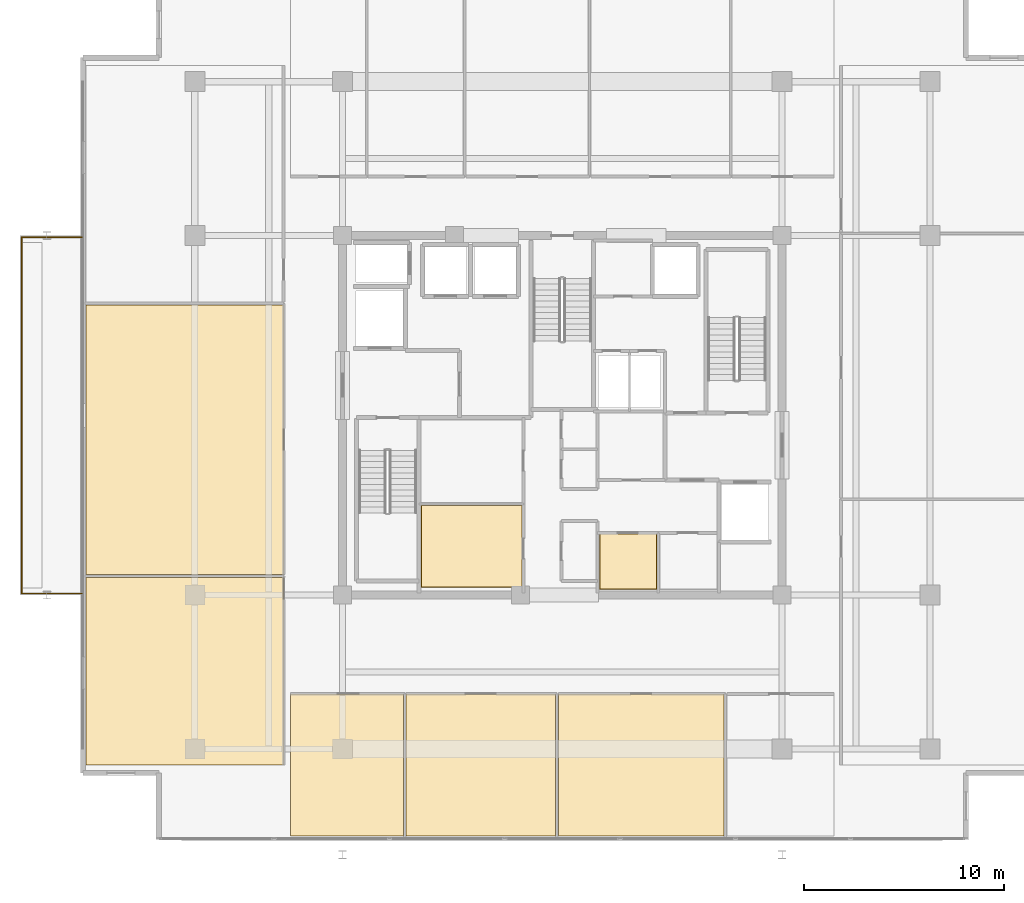
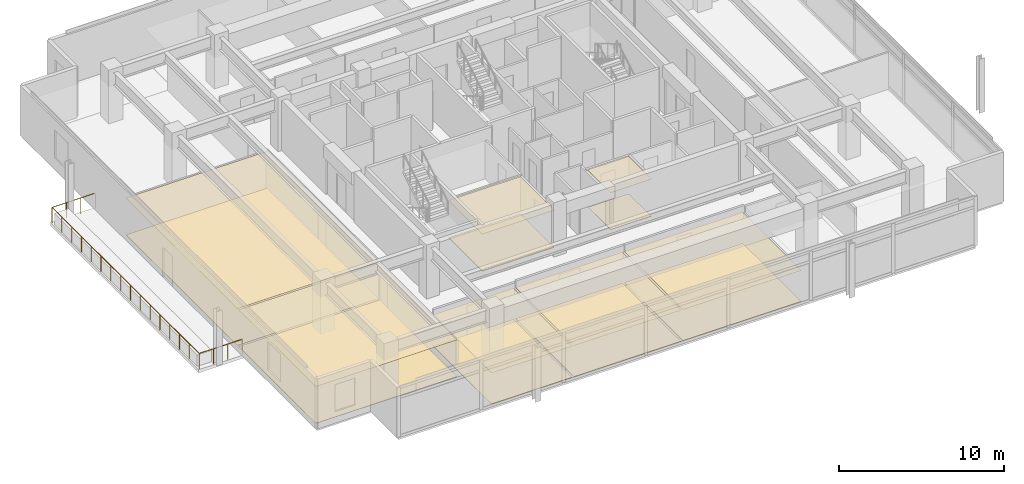
# One storey, part 15 of 18: 14 coverings, 1 railing.
"""IFC4 building model written with IfcOpenShell, lengths in metres."""

from ifc_helpers import new_model, si_unit, direction, frame, origin, origin_2d, place, context, subcontext, project, spatial, polyline, circle, outline, extrude, material, layer, layer_set, type_object, element, save


model = new_model("IFC4")

# Units and contexts
model_context = context("Model", 3, precision=1e-05, world=origin(), true_north=direction((0.0, 1.0)))
body_context = subcontext(model_context, "Body", "Model", "MODEL_VIEW")
ifc_project = project(units=[si_unit("LENGTHUNIT", "METRE"), si_unit("AREAUNIT", "SQUARE_METRE"), si_unit("VOLUMEUNIT", "CUBIC_METRE"), si_unit("PLANEANGLEUNIT", "RADIAN"), si_unit("MASSUNIT", "GRAM", prefix="KILO")], contexts=[model_context])

# Site, building, storey
site_placement = place(None, origin())
site = spatial("IfcSite", under=ifc_project, at=site_placement, CompositionType="ELEMENT")
building_placement = place(site_placement, origin())
building = spatial("IfcBuilding", under=site, at=building_placement, Name="Kovane Verandah Tower", CompositionType="ELEMENT")
storey_placement = place(building_placement, frame((0.0, 0.0, 338.800048828125)))
storey = spatial("IfcBuildingStorey", under=building, at=storey_placement, Name="L79", CompositionType="ELEMENT", Elevation=338.800048828125)

# Coverings
ifc_material_1 = material(Name="Perforated Acoustic Mineral-Fibre Ceiling Tile", Category="gypsum")
ifc_layer_1 = layer(ifc_material_1, 0.02490234375)
ifc_layer_set_1 = layer_set([ifc_layer_1], Name="Perforated Acoustic Mineral-Fibre Ceiling Tile")
covering_type_1 = type_object("IfcCoveringType", Name="CV-CEIL-25", PredefinedType="CEILING", material=ifc_layer_set_1)
covering_1_placement = place(storey_placement, frame((0.0, 0.0, 2.7548828125)))
element("IfcCovering", 1, at=covering_1_placement, inside=storey, type_object=covering_type_1, Name="L79 IT Server Room Acoustic Ceiling", PredefinedType="CEILING", context=body_context, shape_type="SweptSolid", body=[
    extrude(outline(polyline([(32.93505859375, 18.885009765625), (37.9951171875, 18.885009765625), (37.9951171875, 22.9951171875), (32.93505859375, 22.9951171875), (32.93505859375, 18.885009765625)])), origin(), (0.0, 0.0, 1.0), 0.025146484375),
])
covering_2_placement = place(storey_placement, frame((0.0, 0.0, 2.7548828125)))
element("IfcCovering", 2, at=covering_2_placement, inside=storey, type_object=covering_type_1, Name="L79 AV Control Room Acoustic Ceiling", PredefinedType="CEILING", context=body_context, shape_type="SweptSolid", body=[
    extrude(outline(polyline([(41.864990234375, 18.784912109375), (44.735107421875, 18.784912109375), (44.735107421875, 21.56494140625), (41.864990234375, 21.56494140625), (41.864990234375, 18.784912109375)])), origin(), (0.0, 0.0, 1.0), 0.025146484375),
])
covering_3_placement = place(storey_placement, frame((0.0, 0.0, 2.304931640625)))
element("IfcCovering", 3, at=covering_3_placement, inside=storey, type_object=covering_type_1, Name="L79 Executive Office S1 Acoustic Ceiling", PredefinedType="CEILING", context=body_context, shape_type="SweptSolid", body=[
    extrude(outline(polyline([(26.39990234375, 6.449951171875), (32.0419921875, 6.449951171875), (32.0419921875, 13.550048828125), (26.39990234375, 13.550048828125), (26.39990234375, 6.449951171875)])), origin(), (0.0, 0.0, 1.0), 0.02490234375),
])
covering_4_placement = place(storey_placement, frame((0.0, 0.0, 2.304931640625)))
element("IfcCovering", 4, at=covering_4_placement, inside=storey, type_object=covering_type_1, Name="L79 Client Boardroom S2 Acoustic Ceiling", PredefinedType="CEILING", context=body_context, shape_type="SweptSolid", body=[
    extrude(outline(polyline([(32.181884765625, 6.449951171875), (39.657958984375, 6.449951171875), (39.657958984375, 13.550048828125), (32.181884765625, 13.550048828125), (32.181884765625, 6.449951171875)])), origin(), (0.0, 0.0, 1.0), 0.02490234375),
])
covering_5_placement = place(storey_placement, frame((0.0, 0.0, 2.304931640625)))
element("IfcCovering", 5, at=covering_5_placement, inside=storey, type_object=covering_type_1, Name="L79 Meeting Room S3 Acoustic Ceiling", PredefinedType="CEILING", context=body_context, shape_type="SweptSolid", body=[
    extrude(outline(polyline([(39.798095703125, 6.449951171875), (48.090087890625, 6.449951171875), (48.090087890625, 13.550048828125), (39.798095703125, 13.550048828125), (39.798095703125, 6.449951171875)])), origin(), (0.0, 0.0, 1.0), 0.02490234375),
])
covering_6_placement = place(storey_placement, frame((0.0, 0.0, 2.728271484375)))
element("IfcCovering", 6, at=covering_6_placement, inside=storey, type_object=covering_type_1, Name="L79 Breakout Pantry W1 Acoustic Ceiling", PredefinedType="CEILING", context=body_context, shape_type="SweptSolid", body=[
    extrude(outline(polyline([(16.14990234375, 10.0), (26.050048828125, 10.0), (26.050048828125, 19.3798828125), (16.14990234375, 19.3798828125), (16.14990234375, 10.0)])), origin(), (0.0, 0.0, 1.0), 0.025146484375),
])
covering_7_placement = place(storey_placement, frame((0.0, 0.0, 2.728271484375)))
element("IfcCovering", 7, at=covering_7_placement, inside=storey, type_object=covering_type_1, Name="L79 Collaboration Hub W2 Acoustic Ceiling", PredefinedType="CEILING", context=body_context, shape_type="SweptSolid", body=[
    extrude(outline(polyline([(16.14990234375, 19.52001953125), (26.050048828125, 19.52001953125), (26.050048828125, 33.030029296875), (16.14990234375, 33.030029296875), (16.14990234375, 19.52001953125)])), origin(), (0.0, 0.0, 1.0), 0.025146484375),
])
ifc_material_2 = material(Name="Polished Terrazzo and Raised-Access Carpet Tile Finish", Category="concrete")
ifc_layer_2 = layer(ifc_material_2, 0.030029296875)
ifc_layer_set_2 = layer_set([ifc_layer_2], Name="Polished Terrazzo and Raised-Access Carpet Tile Finish")
covering_type_2 = type_object("IfcCoveringType", Name="CV-FLOR-30", PredefinedType="FLOORING", material=ifc_layer_set_2)
covering_8_placement = place(storey_placement, origin())
element("IfcCovering", 8, at=covering_8_placement, inside=storey, type_object=covering_type_2, Name="L79 IT Server Room Floor Finish", PredefinedType="FLOORING", context=body_context, shape_type="SweptSolid", body=[
    extrude(outline(polyline([(32.949951171875, 18.89990234375), (37.97998046875, 18.89990234375), (37.97998046875, 22.97998046875), (32.949951171875, 22.97998046875), (32.949951171875, 18.89990234375)])), origin(), (0.0, 0.0, 1.0), 0.030029296875),
])
covering_9_placement = place(storey_placement, origin())
element("IfcCovering", 9, at=covering_9_placement, inside=storey, type_object=covering_type_2, Name="L79 AV Control Room Floor Finish", PredefinedType="FLOORING", context=body_context, shape_type="SweptSolid", body=[
    extrude(outline(polyline([(41.8798828125, 18.800048828125), (44.719970703125, 18.800048828125), (44.719970703125, 21.550048828125), (41.8798828125, 21.550048828125), (41.8798828125, 18.800048828125)])), origin(), (0.0, 0.0, 1.0), 0.030029296875),
])
covering_10_placement = place(storey_placement, origin())
element("IfcCovering", 10, at=covering_10_placement, inside=storey, type_object=covering_type_2, Name="L79 Executive Office S1 Floor Finish", PredefinedType="FLOORING", context=body_context, shape_type="SweptSolid", body=[
    extrude(outline(polyline([(26.39990234375, 6.449951171875), (32.0419921875, 6.449951171875), (32.0419921875, 13.550048828125), (26.39990234375, 13.550048828125), (26.39990234375, 6.449951171875)])), origin(), (0.0, 0.0, 1.0), 0.030029296875),
])
covering_11_placement = place(storey_placement, origin())
element("IfcCovering", 11, at=covering_11_placement, inside=storey, type_object=covering_type_2, Name="L79 Client Boardroom S2 Floor Finish", PredefinedType="FLOORING", context=body_context, shape_type="SweptSolid", body=[
    extrude(outline(polyline([(32.181884765625, 6.449951171875), (39.657958984375, 6.449951171875), (39.657958984375, 13.550048828125), (32.181884765625, 13.550048828125), (32.181884765625, 6.449951171875)])), origin(), (0.0, 0.0, 1.0), 0.030029296875),
])
covering_12_placement = place(storey_placement, origin())
element("IfcCovering", 12, at=covering_12_placement, inside=storey, type_object=covering_type_2, Name="L79 Meeting Room S3 Floor Finish", PredefinedType="FLOORING", context=body_context, shape_type="SweptSolid", body=[
    extrude(outline(polyline([(39.798095703125, 6.449951171875), (48.090087890625, 6.449951171875), (48.090087890625, 13.550048828125), (39.798095703125, 13.550048828125), (39.798095703125, 6.449951171875)])), origin(), (0.0, 0.0, 1.0), 0.030029296875),
])
covering_13_placement = place(storey_placement, origin())
element("IfcCovering", 13, at=covering_13_placement, inside=storey, type_object=covering_type_2, Name="L79 Breakout Pantry W1 Floor Finish", PredefinedType="FLOORING", context=body_context, shape_type="SweptSolid", body=[
    extrude(outline(polyline([(16.14990234375, 10.0), (26.050048828125, 10.0), (26.050048828125, 19.3798828125), (16.14990234375, 19.3798828125), (16.14990234375, 10.0)])), origin(), (0.0, 0.0, 1.0), 0.030029296875),
])
covering_14_placement = place(storey_placement, origin())
element("IfcCovering", 14, at=covering_14_placement, inside=storey, type_object=covering_type_2, Name="L79 Collaboration Hub W2 Floor Finish", PredefinedType="FLOORING", context=body_context, shape_type="SweptSolid", body=[
    extrude(outline(polyline([(16.14990234375, 19.52001953125), (26.050048828125, 19.52001953125), (26.050048828125, 33.030029296875), (16.14990234375, 33.030029296875), (16.14990234375, 19.52001953125)])), origin(), (0.0, 0.0, 1.0), 0.030029296875),
])

# Railing
ifc_material_3 = material(Name="Laminated Glass and Pale-Champagne Stainless Balustrade", Category="glass")
railing_type = type_object("IfcRailingType", Name="RL-BAL-1150", PredefinedType="BALUSTRADE", material=ifc_material_3)
railing_placement = place(storey_placement, frame((15.949951171875, 18.580078125, 0.0)))
element("IfcRailing", 15, at=railing_placement, inside=storey, type_object=railing_type, Name="L79 W Verandah Glass Balustrade", PredefinedType="BALUSTRADE", context=body_context, shape_type="SweptSolid", body=[
    extrude(circle(Radius=0.02392578125, at=origin_2d()), frame((0.0, 0.0, 1.1259765625), z_axis=(-1.0, 0.0, 0.0), x_axis=(0.0, -1.0, 0.0)), (0.0, 0.0, 1.0), 3.02001953125),
    extrude(circle(Radius=0.02392578125, at=origin_2d()), frame((-3.02001953125, 0.0, 1.1259765625), z_axis=(0.0, 1.0, 0.0), x_axis=(-1.0, 0.0, 0.0)), (0.0, 0.0, 1.0), 17.83984375),
    extrude(circle(Radius=0.02392578125, at=origin_2d()), frame((-3.02001953125, 17.83984375, 1.1259765625), z_axis=(1.0, 0.0, 0.0), x_axis=(0.0, 1.0, 0.0)), (0.0, 0.0, 1.0), 3.02001953125),
    extrude(circle(Radius=0.02099609375, at=origin_2d()), origin(), (0.0, 0.0, 1.0), 1.101806640625),
    extrude(circle(Radius=0.02099609375, at=origin_2d()), frame((-1.006591796875, 0.0, 0.0)), (0.0, 0.0, 1.0), 1.101806640625),
    extrude(circle(Radius=0.02099609375, at=origin_2d()), frame((-2.013427734375, 0.0, 0.0)), (0.0, 0.0, 1.0), 1.101806640625),
    extrude(circle(Radius=0.02099609375, at=origin_2d()), frame((-3.02001953125, 0.0, 0.0)), (0.0, 0.0, 1.0), 1.101806640625),
    extrude(circle(Radius=0.02099609375, at=origin_2d()), frame((-3.02001953125, 1.189208984375, 0.0)), (0.0, 0.0, 1.0), 1.101806640625),
    extrude(circle(Radius=0.02099609375, at=origin_2d()), frame((-3.02001953125, 2.378662109375, 0.0)), (0.0, 0.0, 1.0), 1.101806640625),
    extrude(circle(Radius=0.02099609375, at=origin_2d()), frame((-3.02001953125, 3.56787109375, 0.0)), (0.0, 0.0, 1.0), 1.101806640625),
    extrude(circle(Radius=0.02099609375, at=origin_2d()), frame((-3.02001953125, 4.75732421875, 0.0)), (0.0, 0.0, 1.0), 1.101806640625),
    extrude(circle(Radius=0.02099609375, at=origin_2d()), frame((-3.02001953125, 5.946533203125, 0.0)), (0.0, 0.0, 1.0), 1.101806640625),
    extrude(circle(Radius=0.02099609375, at=origin_2d()), frame((-3.02001953125, 7.135986328125, 0.0)), (0.0, 0.0, 1.0), 1.101806640625),
    extrude(circle(Radius=0.02099609375, at=origin_2d()), frame((-3.02001953125, 8.3251953125, 0.0)), (0.0, 0.0, 1.0), 1.101806640625),
    extrude(circle(Radius=0.02099609375, at=origin_2d()), frame((-3.02001953125, 9.5146484375, 0.0)), (0.0, 0.0, 1.0), 1.101806640625),
    extrude(circle(Radius=0.02099609375, at=origin_2d()), frame((-3.02001953125, 10.703857421875, 0.0)), (0.0, 0.0, 1.0), 1.101806640625),
    extrude(circle(Radius=0.02099609375, at=origin_2d()), frame((-3.02001953125, 11.893310546875, 0.0)), (0.0, 0.0, 1.0), 1.101806640625),
    extrude(circle(Radius=0.02099609375, at=origin_2d()), frame((-3.02001953125, 13.08251953125, 0.0)), (0.0, 0.0, 1.0), 1.101806640625),
    extrude(circle(Radius=0.02099609375, at=origin_2d()), frame((-3.02001953125, 14.27197265625, 0.0)), (0.0, 0.0, 1.0), 1.101806640625),
    extrude(circle(Radius=0.02099609375, at=origin_2d()), frame((-3.02001953125, 15.461181640625, 0.0)), (0.0, 0.0, 1.0), 1.101806640625),
    extrude(circle(Radius=0.02099609375, at=origin_2d()), frame((-3.02001953125, 16.650634765625, 0.0)), (0.0, 0.0, 1.0), 1.101806640625),
    extrude(circle(Radius=0.02099609375, at=origin_2d()), frame((-3.02001953125, 17.83984375, 0.0)), (0.0, 0.0, 1.0), 1.101806640625),
    extrude(circle(Radius=0.02099609375, at=origin_2d()), frame((-2.013427734375, 17.83984375, 0.0)), (0.0, 0.0, 1.0), 1.101806640625),
    extrude(circle(Radius=0.02099609375, at=origin_2d()), frame((-1.006591796875, 17.83984375, 0.0)), (0.0, 0.0, 1.0), 1.101806640625),
    extrude(circle(Radius=0.02099609375, at=origin_2d()), frame((0.0, 17.83984375, 0.0)), (0.0, 0.0, 1.0), 1.101806640625),
])

save(model, "model.ifc")
